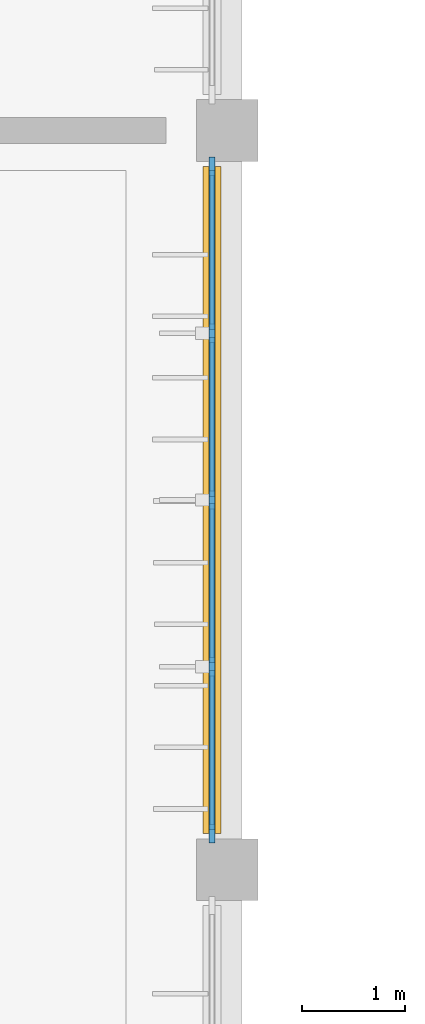
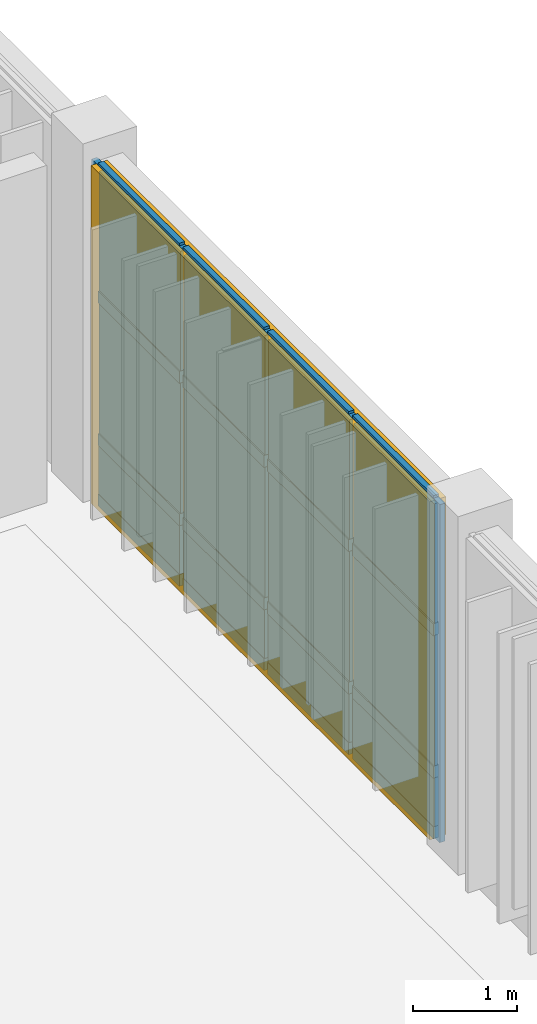
# One storey, part 69 of 104: 21 members, 12 plates, 1 curtain wall.
"""IFC4 building model written with IfcOpenShell, lengths in metres."""

from ifc_helpers import new_model, si_unit, direction, frame, frame_2d, origin, origin_2d, place, context, subcontext, project, spatial, rectangle, extrude, material, layer, layer_set, material_profile, profile_set, type_object, element, aggregate, save


model = new_model("IFC4")

# Units and contexts
model_context = context("Model", 3, precision=1e-05, world=origin(), true_north=direction((0.0, 1.0)))
body_context = subcontext(model_context, "Body", "Model", "MODEL_VIEW")
ifc_project = project(units=[si_unit("LENGTHUNIT", "METRE"), si_unit("AREAUNIT", "SQUARE_METRE"), si_unit("VOLUMEUNIT", "CUBIC_METRE"), si_unit("PLANEANGLEUNIT", "RADIAN"), si_unit("MASSUNIT", "GRAM", prefix="KILO")], contexts=[model_context])

# Member
ifc_material_1 = material(Name="Anodised Bronze Aluminium 6063-T6", Category="aluminium")
ifc_material_profile_1 = material_profile(ifc_material_1, rectangle(XDim=0.06005859375, YDim=0.179931640625, at=origin_2d()), Name="ALU MULLION 60x180")
ifc_profile_set_1 = profile_set([ifc_material_profile_1], Name="Anodised Bronze Aluminium 6063-T6")
member_type_1 = type_object("IfcMemberType", Name="Curtain-Wall Primary Mullion 60x180", PredefinedType="MULLION", material=ifc_profile_set_1)
site_placement = place(None, origin())
building_placement = place(site_placement, origin())
storey_placement = place(building_placement, frame((0.0, 0.0, 9.0)))
member_1_placement = place(storey_placement, frame((27.449951171875, 59.35009765625, 0.0), z_axis=(0.0, 0.0, 1.0), x_axis=(1.0, 0.0, 0.0)))
member_1 = element("IfcMember", 1, at=member_1_placement, type_object=member_type_1, Name="Mullion CWM-01 CW-V6-E1-L02-B3-M01", PredefinedType="MULLION", context=body_context, shape_type="SweptSolid", body=[
    extrude(rectangle(XDim=0.06005859375, YDim=0.179931640625, at=origin_2d()), origin(), (0.0, 0.0, 1.0), 3.9599609375),
])

member_2_placement = place(storey_placement, frame((27.449951171875, 60.97509765625, 0.0), z_axis=(0.0, 0.0, 1.0), x_axis=(1.0, 0.0, 0.0)))
member_2 = element("IfcMember", 2, at=member_2_placement, type_object=member_type_1, Name="Mullion CWM-01 CW-V6-E1-L02-B3-M02", PredefinedType="MULLION", context=body_context, shape_type="SweptSolid", body=[
    extrude(rectangle(XDim=0.06005859375, YDim=0.179931640625, at=origin_2d()), origin(), (0.0, 0.0, 1.0), 3.9599609375),
])

member_3_placement = place(storey_placement, frame((27.449951171875, 62.60009765625, 0.0), z_axis=(0.0, 0.0, 1.0), x_axis=(1.0, 0.0, 0.0)))
member_3 = element("IfcMember", 3, at=member_3_placement, type_object=member_type_1, Name="Mullion CWM-01 CW-V6-E1-L02-B3-M03", PredefinedType="MULLION", context=body_context, shape_type="SweptSolid", body=[
    extrude(rectangle(XDim=0.06005859375, YDim=0.179931640625, at=origin_2d()), origin(), (0.0, 0.0, 1.0), 3.9599609375),
])

member_4_placement = place(storey_placement, frame((27.449951171875, 64.22509765625, 0.0), z_axis=(0.0, 0.0, 1.0), x_axis=(1.0, 0.0, 0.0)))
member_4 = element("IfcMember", 4, at=member_4_placement, type_object=member_type_1, Name="Mullion CWM-01 CW-V6-E1-L02-B3-M04", PredefinedType="MULLION", context=body_context, shape_type="SweptSolid", body=[
    extrude(rectangle(XDim=0.06005859375, YDim=0.179931640625, at=origin_2d()), origin(), (0.0, 0.0, 1.0), 3.9599609375),
])

member_5_placement = place(storey_placement, frame((27.449951171875, 65.85009765625, 0.0), z_axis=(0.0, 0.0, 1.0), x_axis=(1.0, 0.0, 0.0)))
member_5 = element("IfcMember", 5, at=member_5_placement, type_object=member_type_1, Name="Mullion CWM-01 CW-V6-E1-L02-B3-M05", PredefinedType="MULLION", context=body_context, shape_type="SweptSolid", body=[
    extrude(rectangle(XDim=0.06005859375, YDim=0.179931640625, at=origin_2d()), origin(), (0.0, 0.0, 1.0), 3.9599609375),
])

ifc_material_profile_2 = material_profile(ifc_material_1, rectangle(XDim=0.06005859375, YDim=0.139892578125, at=origin_2d()), Name="ALU TRANSOM 60x140")
ifc_profile_set_2 = profile_set([ifc_material_profile_2], Name="Anodised Bronze Aluminium 6063-T6")
member_type_2 = type_object("IfcMemberType", Name="Curtain-Wall Transom 60x140", PredefinedType="USERDEFINED", material=ifc_profile_set_2)
member_6_placement = place(storey_placement, frame((27.449951171875, 59.385009765625, 0.0400390625), z_axis=(0.0, 1.0, 0.0), x_axis=(-1.0, 0.0, 0.0)))
member_6 = element("IfcMember", 6, at=member_6_placement, type_object=member_type_2, Name="Transom CWT-01 CW-V6-E1-L02-B3-T01.1", ObjectType="TRANSOM", PredefinedType="USERDEFINED", context=body_context, shape_type="SweptSolid", body=[
    extrude(rectangle(XDim=0.06005859375, YDim=0.139892578125, at=origin_2d()), origin(), (0.0, 0.0, 1.0), 1.554931640625),
])

member_7_placement = place(storey_placement, frame((27.449951171875, 59.385009765625, 0.75), z_axis=(0.0, 1.0, 0.0), x_axis=(-1.0, 0.0, 0.0)))
member_7 = element("IfcMember", 7, at=member_7_placement, type_object=member_type_2, Name="Transom CWT-01 CW-V6-E1-L02-B3-T01.2", ObjectType="TRANSOM", PredefinedType="USERDEFINED", context=body_context, shape_type="SweptSolid", body=[
    extrude(rectangle(XDim=0.06005859375, YDim=0.139892578125, at=origin_2d()), origin(), (0.0, 0.0, 1.0), 1.554931640625),
])

member_8_placement = place(storey_placement, frame((27.449951171875, 59.385009765625, 2.419189453125), z_axis=(0.0, 1.0, 0.0), x_axis=(-1.0, 0.0, 0.0)))
member_8 = element("IfcMember", 8, at=member_8_placement, type_object=member_type_2, Name="Transom CWT-01 CW-V6-E1-L02-B3-T01.3", ObjectType="TRANSOM", PredefinedType="USERDEFINED", context=body_context, shape_type="SweptSolid", body=[
    extrude(rectangle(XDim=0.06005859375, YDim=0.139892578125, at=origin_2d()), origin(), (0.0, 0.0, 1.0), 1.554931640625),
])

member_9_placement = place(storey_placement, frame((27.449951171875, 59.385009765625, 3.919921875), z_axis=(0.0, 1.0, 0.0), x_axis=(-1.0, 0.0, 0.0)))
member_9 = element("IfcMember", 9, at=member_9_placement, type_object=member_type_2, Name="Transom CWT-01 CW-V6-E1-L02-B3-T01.4", ObjectType="TRANSOM", PredefinedType="USERDEFINED", context=body_context, shape_type="SweptSolid", body=[
    extrude(rectangle(XDim=0.06005859375, YDim=0.139892578125, at=origin_2d()), origin(), (0.0, 0.0, 1.0), 1.554931640625),
])

member_10_placement = place(storey_placement, frame((27.449951171875, 61.010009765625, 0.0400390625), z_axis=(0.0, 1.0, 0.0), x_axis=(-1.0, 0.0, 0.0)))
member_10 = element("IfcMember", 10, at=member_10_placement, type_object=member_type_2, Name="Transom CWT-01 CW-V6-E1-L02-B3-T02.1", ObjectType="TRANSOM", PredefinedType="USERDEFINED", context=body_context, shape_type="SweptSolid", body=[
    extrude(rectangle(XDim=0.06005859375, YDim=0.139892578125, at=origin_2d()), origin(), (0.0, 0.0, 1.0), 1.554931640625),
])

member_11_placement = place(storey_placement, frame((27.449951171875, 61.010009765625, 0.75), z_axis=(0.0, 1.0, 0.0), x_axis=(-1.0, 0.0, 0.0)))
member_11 = element("IfcMember", 11, at=member_11_placement, type_object=member_type_2, Name="Transom CWT-01 CW-V6-E1-L02-B3-T02.2", ObjectType="TRANSOM", PredefinedType="USERDEFINED", context=body_context, shape_type="SweptSolid", body=[
    extrude(rectangle(XDim=0.06005859375, YDim=0.139892578125, at=origin_2d()), origin(), (0.0, 0.0, 1.0), 1.554931640625),
])

member_12_placement = place(storey_placement, frame((27.449951171875, 61.010009765625, 2.419189453125), z_axis=(0.0, 1.0, 0.0), x_axis=(-1.0, 0.0, 0.0)))
member_12 = element("IfcMember", 12, at=member_12_placement, type_object=member_type_2, Name="Transom CWT-01 CW-V6-E1-L02-B3-T02.3", ObjectType="TRANSOM", PredefinedType="USERDEFINED", context=body_context, shape_type="SweptSolid", body=[
    extrude(rectangle(XDim=0.06005859375, YDim=0.139892578125, at=origin_2d()), origin(), (0.0, 0.0, 1.0), 1.554931640625),
])

member_13_placement = place(storey_placement, frame((27.449951171875, 61.010009765625, 3.919921875), z_axis=(0.0, 1.0, 0.0), x_axis=(-1.0, 0.0, 0.0)))
member_13 = element("IfcMember", 13, at=member_13_placement, type_object=member_type_2, Name="Transom CWT-01 CW-V6-E1-L02-B3-T02.4", ObjectType="TRANSOM", PredefinedType="USERDEFINED", context=body_context, shape_type="SweptSolid", body=[
    extrude(rectangle(XDim=0.06005859375, YDim=0.139892578125, at=origin_2d()), origin(), (0.0, 0.0, 1.0), 1.554931640625),
])

member_14_placement = place(storey_placement, frame((27.449951171875, 62.635009765625, 0.0400390625), z_axis=(0.0, 1.0, 0.0), x_axis=(-1.0, 0.0, 0.0)))
member_14 = element("IfcMember", 14, at=member_14_placement, type_object=member_type_2, Name="Transom CWT-01 CW-V6-E1-L02-B3-T03.1", ObjectType="TRANSOM", PredefinedType="USERDEFINED", context=body_context, shape_type="SweptSolid", body=[
    extrude(rectangle(XDim=0.06005859375, YDim=0.139892578125, at=origin_2d()), origin(), (0.0, 0.0, 1.0), 1.554931640625),
])

member_15_placement = place(storey_placement, frame((27.449951171875, 62.635009765625, 0.75), z_axis=(0.0, 1.0, 0.0), x_axis=(-1.0, 0.0, 0.0)))
member_15 = element("IfcMember", 15, at=member_15_placement, type_object=member_type_2, Name="Transom CWT-01 CW-V6-E1-L02-B3-T03.2", ObjectType="TRANSOM", PredefinedType="USERDEFINED", context=body_context, shape_type="SweptSolid", body=[
    extrude(rectangle(XDim=0.06005859375, YDim=0.139892578125, at=origin_2d()), origin(), (0.0, 0.0, 1.0), 1.554931640625),
])

member_16_placement = place(storey_placement, frame((27.449951171875, 62.635009765625, 2.419189453125), z_axis=(0.0, 1.0, 0.0), x_axis=(-1.0, 0.0, 0.0)))
member_16 = element("IfcMember", 16, at=member_16_placement, type_object=member_type_2, Name="Transom CWT-01 CW-V6-E1-L02-B3-T03.3", ObjectType="TRANSOM", PredefinedType="USERDEFINED", context=body_context, shape_type="SweptSolid", body=[
    extrude(rectangle(XDim=0.06005859375, YDim=0.139892578125, at=origin_2d()), origin(), (0.0, 0.0, 1.0), 1.554931640625),
])

member_17_placement = place(storey_placement, frame((27.449951171875, 62.635009765625, 3.919921875), z_axis=(0.0, 1.0, 0.0), x_axis=(-1.0, 0.0, 0.0)))
member_17 = element("IfcMember", 17, at=member_17_placement, type_object=member_type_2, Name="Transom CWT-01 CW-V6-E1-L02-B3-T03.4", ObjectType="TRANSOM", PredefinedType="USERDEFINED", context=body_context, shape_type="SweptSolid", body=[
    extrude(rectangle(XDim=0.06005859375, YDim=0.139892578125, at=origin_2d()), origin(), (0.0, 0.0, 1.0), 1.554931640625),
])

member_18_placement = place(storey_placement, frame((27.449951171875, 64.260009765625, 0.0400390625), z_axis=(0.0, 1.0, 0.0), x_axis=(-1.0, 0.0, 0.0)))
member_18 = element("IfcMember", 18, at=member_18_placement, type_object=member_type_2, Name="Transom CWT-01 CW-V6-E1-L02-B3-T04.1", ObjectType="TRANSOM", PredefinedType="USERDEFINED", context=body_context, shape_type="SweptSolid", body=[
    extrude(rectangle(XDim=0.06005859375, YDim=0.139892578125, at=origin_2d()), origin(), (0.0, 0.0, 1.0), 1.554931640625),
])

member_19_placement = place(storey_placement, frame((27.449951171875, 64.260009765625, 0.75), z_axis=(0.0, 1.0, 0.0), x_axis=(-1.0, 0.0, 0.0)))
member_19 = element("IfcMember", 19, at=member_19_placement, type_object=member_type_2, Name="Transom CWT-01 CW-V6-E1-L02-B3-T04.2", ObjectType="TRANSOM", PredefinedType="USERDEFINED", context=body_context, shape_type="SweptSolid", body=[
    extrude(rectangle(XDim=0.06005859375, YDim=0.139892578125, at=origin_2d()), origin(), (0.0, 0.0, 1.0), 1.554931640625),
])

member_20_placement = place(storey_placement, frame((27.449951171875, 64.260009765625, 2.419189453125), z_axis=(0.0, 1.0, 0.0), x_axis=(-1.0, 0.0, 0.0)))
member_20 = element("IfcMember", 20, at=member_20_placement, type_object=member_type_2, Name="Transom CWT-01 CW-V6-E1-L02-B3-T04.3", ObjectType="TRANSOM", PredefinedType="USERDEFINED", context=body_context, shape_type="SweptSolid", body=[
    extrude(rectangle(XDim=0.06005859375, YDim=0.139892578125, at=origin_2d()), origin(), (0.0, 0.0, 1.0), 1.554931640625),
])

member_21_placement = place(storey_placement, frame((27.449951171875, 64.260009765625, 3.919921875), z_axis=(0.0, 1.0, 0.0), x_axis=(-1.0, 0.0, 0.0)))
member_21 = element("IfcMember", 21, at=member_21_placement, type_object=member_type_2, Name="Transom CWT-01 CW-V6-E1-L02-B3-T04.4", ObjectType="TRANSOM", PredefinedType="USERDEFINED", context=body_context, shape_type="SweptSolid", body=[
    extrude(rectangle(XDim=0.06005859375, YDim=0.139892578125, at=origin_2d()), origin(), (0.0, 0.0, 1.0), 1.554931640625),
])

# Plate
ifc_material_2 = material(Name="Insulated Bronze Aluminium Spandrel Panel", Category="aluminium")
ifc_layer_1 = layer(ifc_material_2, 0.050048828125, Name="Insulated Bronze Aluminium Spandrel Panel")
ifc_layer_set_1 = layer_set([ifc_layer_1], Name="Insulated Bronze Aluminium Spandrel Panel")
plate_type_1 = type_object("IfcPlateType", Name="Insulated Anodised Aluminium Spandrel Cassette 50", PredefinedType="CURTAIN_PANEL", material=ifc_layer_set_1)
plate_1_placement = place(storey_placement, frame((27.449951171875, 60.16259765625, 0.070068359375), z_axis=(0.0, 0.0, 1.0), x_axis=(0.0, 1.0, 0.0)))
plate_1 = element("IfcPlate", 22, at=plate_1_placement, type_object=plate_type_1, Name="Curtain Panel CWP-03 CW-V6-E1-L02-B3-P01.1", PredefinedType="CURTAIN_PANEL", context=body_context, shape_type="SweptSolid", body=[
    extrude(rectangle(XDim=1.554931640625, YDim=0.050048828125, at=origin_2d()), origin(), (0.0, 0.0, 1.0), 0.64990234375),
])

plate_2_placement = place(storey_placement, frame((27.449951171875, 61.78759765625, 0.070068359375), z_axis=(0.0, 0.0, 1.0), x_axis=(0.0, 1.0, 0.0)))
plate_2 = element("IfcPlate", 23, at=plate_2_placement, type_object=plate_type_1, Name="Curtain Panel CWP-03 CW-V6-E1-L02-B3-P02.1", PredefinedType="CURTAIN_PANEL", context=body_context, shape_type="SweptSolid", body=[
    extrude(rectangle(XDim=1.554931640625, YDim=0.050048828125, at=origin_2d()), origin(), (0.0, 0.0, 1.0), 0.64990234375),
])

plate_3_placement = place(storey_placement, frame((27.449951171875, 63.41259765625, 0.070068359375), z_axis=(0.0, 0.0, 1.0), x_axis=(0.0, 1.0, 0.0)))
plate_3 = element("IfcPlate", 24, at=plate_3_placement, type_object=plate_type_1, Name="Curtain Panel CWP-03 CW-V6-E1-L02-B3-P03.1", PredefinedType="CURTAIN_PANEL", context=body_context, shape_type="SweptSolid", body=[
    extrude(rectangle(XDim=1.554931640625, YDim=0.050048828125, at=origin_2d()), origin(), (0.0, 0.0, 1.0), 0.64990234375),
])

plate_4_placement = place(storey_placement, frame((27.449951171875, 65.03759765625, 0.070068359375), z_axis=(0.0, 0.0, 1.0), x_axis=(0.0, 1.0, 0.0)))
plate_4 = element("IfcPlate", 25, at=plate_4_placement, type_object=plate_type_1, Name="Curtain Panel CWP-03 CW-V6-E1-L02-B3-P04.1", PredefinedType="CURTAIN_PANEL", context=body_context, shape_type="SweptSolid", body=[
    extrude(rectangle(XDim=1.554931640625, YDim=0.050048828125, at=origin_2d()), origin(), (0.0, 0.0, 1.0), 0.64990234375),
])

ifc_material_3 = material(Name="Solar-Control Tempered Double Glazing", Category="glass")
ifc_layer_2 = layer(ifc_material_3, 0.0380859375, Name="Solar-Control Tempered Double Glazing")
ifc_layer_set_2 = layer_set([ifc_layer_2], Name="Solar-Control Tempered Double Glazing")
plate_type_2 = type_object("IfcPlateType", Name="Solar-Control Vision Glazing Unit 38", PredefinedType="CURTAIN_PANEL", material=ifc_layer_set_2)
plate_5_placement = place(storey_placement, frame((27.449951171875, 60.16259765625, 0.7802734375), z_axis=(0.0, 0.0, 1.0), x_axis=(0.0, 1.0, 0.0)))
plate_5 = element("IfcPlate", 26, at=plate_5_placement, type_object=plate_type_2, Name="Curtain Panel CWP-02 CW-V6-E1-L02-B3-P01.2", PredefinedType="CURTAIN_PANEL", context=body_context, shape_type="SweptSolid", body=[
    extrude(rectangle(XDim=1.554931640625, YDim=0.0380859375, at=origin_2d()), origin(), (0.0, 0.0, 1.0), 1.609130859375),
])

plate_6_placement = place(storey_placement, frame((27.449951171875, 60.16259765625, 2.44921875), z_axis=(0.0, 0.0, 1.0), x_axis=(0.0, 1.0, 0.0)))
plate_6 = element("IfcPlate", 27, at=plate_6_placement, type_object=plate_type_2, Name="Curtain Panel CWP-02 CW-V6-E1-L02-B3-P01.3", PredefinedType="CURTAIN_PANEL", context=body_context, shape_type="SweptSolid", body=[
    extrude(rectangle(XDim=1.554931640625, YDim=0.0380859375, at=origin_2d()), origin(), (0.0, 0.0, 1.0), 1.44091796875),
])

plate_7_placement = place(storey_placement, frame((27.449951171875, 61.78759765625, 0.7802734375), z_axis=(0.0, 0.0, 1.0), x_axis=(0.0, 1.0, 0.0)))
plate_7 = element("IfcPlate", 28, at=plate_7_placement, type_object=plate_type_2, Name="Curtain Panel CWP-02 CW-V6-E1-L02-B3-P02.2", PredefinedType="CURTAIN_PANEL", context=body_context, shape_type="SweptSolid", body=[
    extrude(rectangle(XDim=1.554931640625, YDim=0.0380859375, at=origin_2d()), origin(), (0.0, 0.0, 1.0), 1.609130859375),
])

plate_8_placement = place(storey_placement, frame((27.449951171875, 61.78759765625, 2.44921875), z_axis=(0.0, 0.0, 1.0), x_axis=(0.0, 1.0, 0.0)))
plate_8 = element("IfcPlate", 29, at=plate_8_placement, type_object=plate_type_2, Name="Curtain Panel CWP-02 CW-V6-E1-L02-B3-P02.3", PredefinedType="CURTAIN_PANEL", context=body_context, shape_type="SweptSolid", body=[
    extrude(rectangle(XDim=1.554931640625, YDim=0.0380859375, at=origin_2d()), origin(), (0.0, 0.0, 1.0), 1.44091796875),
])

plate_9_placement = place(storey_placement, frame((27.449951171875, 63.41259765625, 0.7802734375), z_axis=(0.0, 0.0, 1.0), x_axis=(0.0, 1.0, 0.0)))
plate_9 = element("IfcPlate", 30, at=plate_9_placement, type_object=plate_type_2, Name="Curtain Panel CWP-02 CW-V6-E1-L02-B3-P03.2", PredefinedType="CURTAIN_PANEL", context=body_context, shape_type="SweptSolid", body=[
    extrude(rectangle(XDim=1.554931640625, YDim=0.0380859375, at=origin_2d()), origin(), (0.0, 0.0, 1.0), 1.609130859375),
])

plate_10_placement = place(storey_placement, frame((27.449951171875, 63.41259765625, 2.44921875), z_axis=(0.0, 0.0, 1.0), x_axis=(0.0, 1.0, 0.0)))
plate_10 = element("IfcPlate", 31, at=plate_10_placement, type_object=plate_type_2, Name="Curtain Panel CWP-02 CW-V6-E1-L02-B3-P03.3", PredefinedType="CURTAIN_PANEL", context=body_context, shape_type="SweptSolid", body=[
    extrude(rectangle(XDim=1.554931640625, YDim=0.0380859375, at=origin_2d()), origin(), (0.0, 0.0, 1.0), 1.44091796875),
])

plate_11_placement = place(storey_placement, frame((27.449951171875, 65.03759765625, 0.7802734375), z_axis=(0.0, 0.0, 1.0), x_axis=(0.0, 1.0, 0.0)))
plate_11 = element("IfcPlate", 32, at=plate_11_placement, type_object=plate_type_2, Name="Curtain Panel CWP-02 CW-V6-E1-L02-B3-P04.2", PredefinedType="CURTAIN_PANEL", context=body_context, shape_type="SweptSolid", body=[
    extrude(rectangle(XDim=1.554931640625, YDim=0.0380859375, at=origin_2d()), origin(), (0.0, 0.0, 1.0), 1.609130859375),
])

plate_12_placement = place(storey_placement, frame((27.449951171875, 65.03759765625, 2.44921875), z_axis=(0.0, 0.0, 1.0), x_axis=(0.0, 1.0, 0.0)))
plate_12 = element("IfcPlate", 33, at=plate_12_placement, type_object=plate_type_2, Name="Curtain Panel CWP-02 CW-V6-E1-L02-B3-P04.3", PredefinedType="CURTAIN_PANEL", context=body_context, shape_type="SweptSolid", body=[
    extrude(rectangle(XDim=1.554931640625, YDim=0.0380859375, at=origin_2d()), origin(), (0.0, 0.0, 1.0), 1.44091796875),
])

# Site, building, storey
site = spatial("IfcSite", under=ifc_project, at=site_placement, CompositionType="ELEMENT")
building = spatial("IfcBuilding", under=site, at=building_placement, Name="Tazoul Stagehouse", CompositionType="ELEMENT")
storey = spatial("IfcBuildingStorey", under=building, at=storey_placement, Name="L02", CompositionType="ELEMENT", Elevation=9.0)

# Curtain wall
curtain_wall_type = type_object("IfcCurtainWallType", Name="Foyer Clear Solar-Control Curtain Wall", PredefinedType="NOTDEFINED", material=ifc_material_1)
curtain_wall_placement = place(storey_placement, frame((27.449951171875, 59.35009765625, 0.0), z_axis=(0.0, 0.0, 1.0), x_axis=(0.0, 1.0, 0.0)))
curtain_wall = element("IfcCurtainWall", 34, at=curtain_wall_placement, inside=storey, type_object=curtain_wall_type, Name="L02 Curtain Wall CW-02 (CW-V6-E1-L02-B3)", PredefinedType="NOTDEFINED", context=body_context, shape_type="SweptSolid", body=[
    extrude(rectangle(XDim=6.5, YDim=0.179931640625, at=frame_2d((3.25, 0.0))), origin(), (0.0, 0.0, 1.0), 3.9599609375),
])

aggregate(curtain_wall, [member_1, member_2, member_3, member_4, member_5, member_6, member_7, member_8, member_9, plate_1, plate_5, plate_6, member_10, member_11, member_12, member_13, plate_2, plate_7, plate_8, member_14, member_15, member_16, member_17, plate_3, plate_9, plate_10, member_18, member_19, member_20, member_21, plate_4, plate_11, plate_12])

save(model, "model.ifc")
